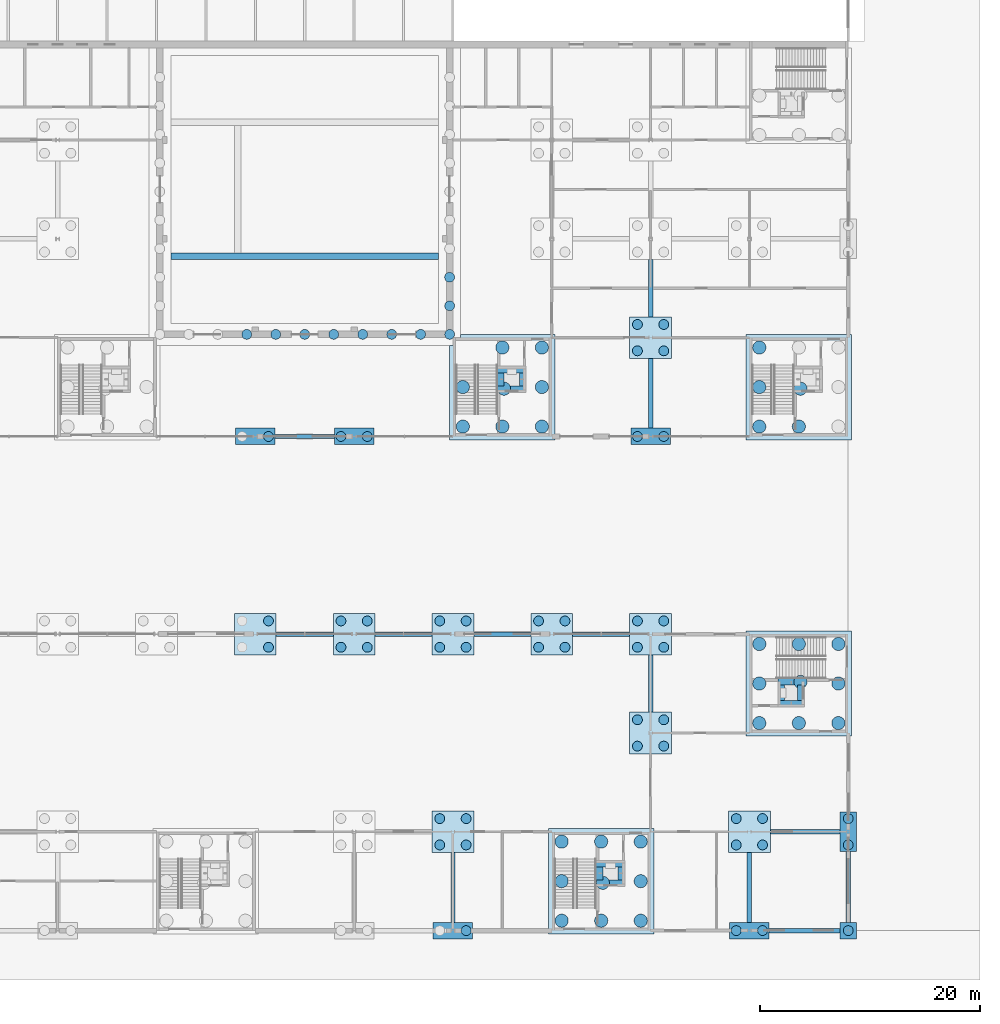
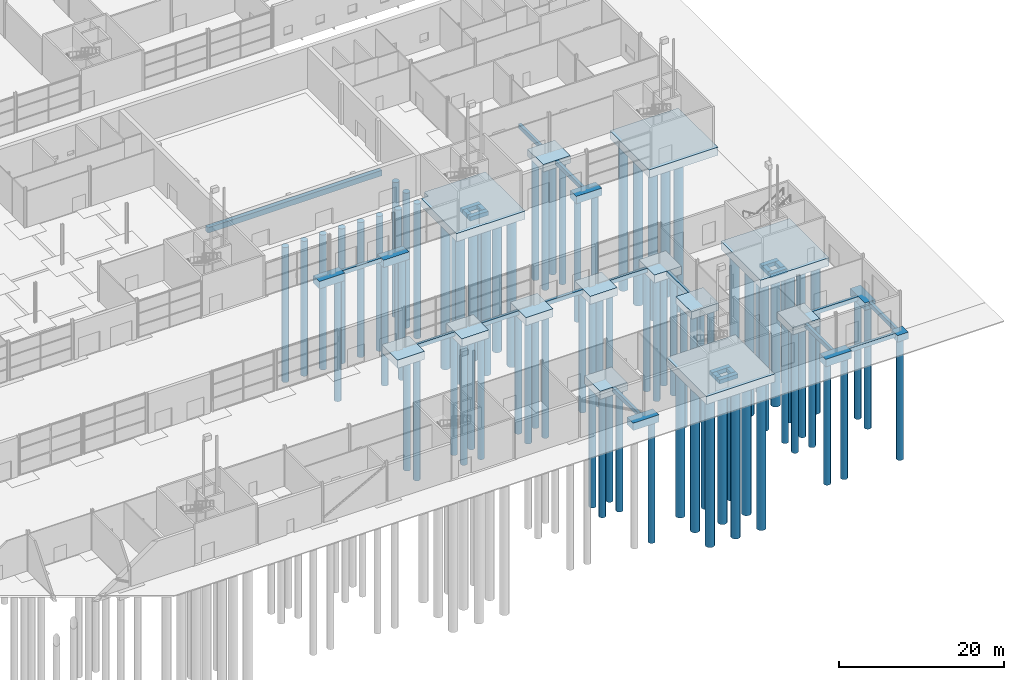
# One storey, part 5 of 97: 86 piles, 46 footings.
"""IFC4 building model written with IfcOpenShell, lengths in metres."""

from ifc_helpers import new_model, si_unit, direction, frame, origin, origin_2d, place, context, subcontext, project, spatial, polyline, rectangle, circle, outline, extrude, material, material_profile, profile_set, type_object, element, save


model = new_model("IFC4")

# Units and contexts
model_context = context("Model", 3, precision=1e-05, world=origin(), true_north=direction((0.0, 1.0)))
body_context = subcontext(model_context, "Body", "Model", "MODEL_VIEW")
ifc_project = project(units=[si_unit("LENGTHUNIT", "METRE"), si_unit("AREAUNIT", "SQUARE_METRE"), si_unit("VOLUMEUNIT", "CUBIC_METRE"), si_unit("PLANEANGLEUNIT", "RADIAN"), si_unit("MASSUNIT", "GRAM", prefix="KILO")], contexts=[model_context])

# Site, building, storey
site_placement = place(None, origin())
site = spatial("IfcSite", under=ifc_project, at=site_placement, CompositionType="ELEMENT")
building_placement = place(site_placement, origin())
building = spatial("IfcBuilding", under=site, at=building_placement, Name="Corbel Yard City Hall", CompositionType="ELEMENT")
storey_placement = place(building_placement, origin())
storey = spatial("IfcBuildingStorey", under=building, at=storey_placement, Name="L00", CompositionType="ELEMENT", Elevation=0.0)

# Piles
ifc_material = material(Name="Concrete N40 (40 MPa)", Category="concrete")
ifc_material_profile_1 = material_profile(ifc_material, circle(Radius=0.60009765625, at=origin_2d()), Name="D1200")
ifc_profile_set_1 = profile_set([ifc_material_profile_1], Name="Concrete N40 (40 MPa)")
pile_type_1 = type_object("IfcPileType", Name="Bored pile D1200", PredefinedType="BORED", material=ifc_profile_set_1)
for number, where, z_axis, x_axis, name in (
    (1, (153.89990234375, 0.89990234375, -1.10009765625), (0.0, 0.0, -1.0), (1.0, 0.0, 0.0), "Bored pile D1200 under core raft PC13"),
    (2, (153.89990234375, 4.5, -1.10009765625), (0.0, 0.0, -1.0), (1.0, 0.0, 0.0), "Bored pile D1200 under core raft PC13"),
    (3, (153.89990234375, 8.10009765625, -1.10009765625), (0.0, 0.0, -1.0), (1.0, 0.0, 0.0), "Bored pile D1200 under core raft PC13"),
    (4, (157.5, 0.89990234375, -1.10009765625), (0.0, 0.0, -1.0), (1.0, 0.0, 0.0), "Bored pile D1200 under core raft PC13"),
    (5, (157.64990234375, 4.35009765625, -1.10009765625), (0.0, 0.0, -1.0), (1.0, 0.0, 0.0), "Bored pile D1200 under core raft PC13"),
    (6, (157.5, 8.10009765625, -1.10009765625), (0.0, 0.0, -1.0), (1.0, 0.0, 0.0), "Bored pile D1200 under core raft PC13"),
    (7, (161.10009765625, 0.89990234375, -1.10009765625), (0.0, 0.0, -1.0), (1.0, 0.0, 0.0), "Bored pile D1200 under core raft PC13"),
    (8, (161.10009765625, 4.5, -1.10009765625), (0.0, 0.0, -1.0), (1.0, 0.0, 0.0), "Bored pile D1200 under core raft PC13"),
    (9, (161.10009765625, 8.10009765625, -1.10009765625), (0.0, 0.0, -1.0), (1.0, 0.0, 0.0), "Bored pile D1200 under core raft PC13"),
    (10, (171.89990234375, 18.89990234375, -1.10009765625), (0.0, 0.0, -1.0), (1.0, 0.0, 0.0), "Bored pile D1200 under core raft PC13"),
    (11, (171.89990234375, 22.5, -1.10009765625), (0.0, 0.0, -1.0), (1.0, 0.0, 0.0), "Bored pile D1200 under core raft PC13"),
    (12, (171.89990234375, 26.10009765625, -1.10009765625), (0.0, 0.0, -1.0), (1.0, 0.0, 0.0), "Bored pile D1200 under core raft PC13"),
    (13, (175.5, 18.89990234375, -1.10009765625), (0.0, 0.0, -1.0), (1.0, 0.0, 0.0), "Bored pile D1200 under core raft PC13"),
    (14, (175.64990234375, 22.64990234375, -1.10009765625), (0.0, 0.0, -1.0), (1.0, 0.0, 0.0), "Bored pile D1200 under core raft PC13"),
    (15, (175.5, 26.10009765625, -1.10009765625), (0.0, 0.0, -1.0), (1.0, 0.0, 0.0), "Bored pile D1200 under core raft PC13"),
    (16, (179.10009765625, 18.89990234375, -1.10009765625), (0.0, 0.0, -1.0), (1.0, 0.0, 0.0), "Bored pile D1200 under core raft PC13"),
    (17, (179.10009765625, 22.5, -1.10009765625), (0.0, 0.0, -1.0), (1.0, 0.0, 0.0), "Bored pile D1200 under core raft PC13"),
    (18, (179.10009765625, 26.10009765625, -1.10009765625), (0.0, 0.0, -1.0), (1.0, 0.0, 0.0), "Bored pile D1200 under core raft PC13"),
    (19, (144.89990234375, 45.89990234375, -1.10009765625), (0.0, 0.0, -1.0), (1.0, 0.0, 0.0), "Bored pile D1200 under core raft PC13"),
    (20, (144.89990234375, 49.5, -1.10009765625), (0.0, 0.0, -1.0), (1.0, 0.0, 0.0), "Bored pile D1200 under core raft PC13"),
    (21, (148.5, 45.89990234375, -1.10009765625), (0.0, 0.0, -1.0), (1.0, 0.0, 0.0), "Bored pile D1200 under core raft PC13"),
    (22, (148.64990234375, 49.35009765625, -1.10009765625), (0.0, 0.0, -1.0), (1.0, 0.0, 0.0), "Bored pile D1200 under core raft PC13"),
    (23, (148.5, 53.10009765625, -1.10009765625), (0.0, 0.0, -1.0), (1.0, 0.0, 0.0), "Bored pile D1200 under core raft PC13"),
    (24, (152.10009765625, 45.89990234375, -1.10009765625), (0.0, 0.0, -1.0), (1.0, 0.0, 0.0), "Bored pile D1200 under core raft PC13"),
    (25, (152.10009765625, 49.5, -1.10009765625), (0.0, 0.0, -1.0), (1.0, 0.0, 0.0), "Bored pile D1200 under core raft PC13"),
    (26, (152.10009765625, 53.10009765625, -1.10009765625), (0.0, 0.0, -1.0), (1.0, 0.0, 0.0), "Bored pile D1200 under core raft PC13"),
    (27, (171.89990234375, 45.89990234375, -1.10009765625), (0.0, 0.0, -1.0), (1.0, 0.0, 0.0), "Bored pile D1200 under core raft PC13"),
    (28, (171.89990234375, 49.5, -1.10009765625), (0.0, 0.0, -1.0), (1.0, 0.0, 0.0), "Bored pile D1200 under core raft PC13"),
    (29, (171.89990234375, 53.10009765625, -1.10009765625), (0.0, 0.0, -1.0), (1.0, 0.0, 0.0), "Bored pile D1200 under core raft PC13"),
    (30, (175.5, 45.89990234375, -1.10009765625), (0.0, 0.0, -1.0), (1.0, 0.0, 0.0), "Bored pile D1200 under core raft PC13"),
    (31, (175.64990234375, 49.35009765625, -1.10009765625), (0.0, 0.0, -1.0), (1.0, 0.0, 0.0), "Bored pile D1200 under core raft PC13"),
):
    element("IfcPile", number, at=place(storey_placement, frame(where, z_axis=z_axis, x_axis=x_axis)), inside=storey, type_object=pile_type_1, Name=name, PredefinedType="BORED", context=body_context, shape_type="SweptSolid", body=[
        extrude(circle(Radius=0.60009765625, at=origin_2d()), origin(), (0.0, 0.0, 1.0), 22.0),
    ])
ifc_material_profile_2 = material_profile(ifc_material, circle(Radius=0.449951171875, at=origin_2d()), Name="D900")
ifc_profile_set_2 = profile_set([ifc_material_profile_2], Name="Concrete N40 (40 MPa)")
pile_type_2 = type_object("IfcPileType", Name="Bored pile D900", PredefinedType="BORED", material=ifc_profile_set_2)
for number, where, z_axis, x_axis, name in (
    (32, (127.199951171875, 25.800048828125, -1.10009765625), (0.0, 0.0, -1.0), (1.0, 0.0, 0.0), "Bored pile D900 under cap PC5 D/15"),
    (33, (127.199951171875, 28.199951171875, -1.10009765625), (0.0, 0.0, -1.0), (1.0, 0.0, 0.0), "Bored pile D900 under cap PC5 D/15"),
    (34, (127.199951171875, 45.0, -1.0), (0.0, 0.0, -1.0), (1.0, 0.0, 0.0), "Bored pile D900 under cap PC6 F/15"),
    (35, (133.800048828125, 25.800048828125, -1.10009765625), (0.0, 0.0, -1.0), (1.0, 0.0, 0.0), "Bored pile D900 under cap PC5 D/16"),
    (36, (133.800048828125, 28.199951171875, -1.10009765625), (0.0, 0.0, -1.0), (1.0, 0.0, 0.0), "Bored pile D900 under cap PC5 D/16"),
    (37, (136.199951171875, 25.800048828125, -1.10009765625), (0.0, 0.0, -1.0), (1.0, 0.0, 0.0), "Bored pile D900 under cap PC5 D/16"),
    (38, (136.199951171875, 28.199951171875, -1.10009765625), (0.0, 0.0, -1.0), (1.0, 0.0, 0.0), "Bored pile D900 under cap PC5 D/16"),
    (39, (133.800048828125, 45.0, -1.0), (0.0, 0.0, -1.0), (1.0, 0.0, 0.0), "Bored pile D900 under cap PC6 F/16"),
    (40, (136.199951171875, 45.0, -1.0), (0.0, 0.0, -1.0), (1.0, 0.0, 0.0), "Bored pile D900 under cap PC6 F/16"),
    (41, (145.199951171875, 0.0, -1.0), (0.0, 0.0, -1.0), (1.0, 0.0, 0.0), "Bored pile D900 under cap PC6 A/17"),
    (42, (142.800048828125, 7.800048828125, -1.10009765625), (0.0, 0.0, -1.0), (1.0, 0.0, 0.0), "Bored pile D900 under cap PC5 B/17"),
    (43, (142.800048828125, 10.199951171875, -1.10009765625), (0.0, 0.0, -1.0), (1.0, 0.0, 0.0), "Bored pile D900 under cap PC5 B/17"),
    (44, (145.199951171875, 7.800048828125, -1.10009765625), (0.0, 0.0, -1.0), (1.0, 0.0, 0.0), "Bored pile D900 under cap PC5 B/17"),
    (45, (145.199951171875, 10.199951171875, -1.10009765625), (0.0, 0.0, -1.0), (1.0, 0.0, 0.0), "Bored pile D900 under cap PC5 B/17"),
    (46, (142.800048828125, 25.800048828125, -1.10009765625), (0.0, 0.0, -1.0), (1.0, 0.0, 0.0), "Bored pile D900 under cap PC5 D/17"),
    (47, (142.800048828125, 28.199951171875, -1.10009765625), (0.0, 0.0, -1.0), (1.0, 0.0, 0.0), "Bored pile D900 under cap PC5 D/17"),
    (48, (145.199951171875, 25.800048828125, -1.10009765625), (0.0, 0.0, -1.0), (1.0, 0.0, 0.0), "Bored pile D900 under cap PC5 D/17"),
    (49, (145.199951171875, 28.199951171875, -1.10009765625), (0.0, 0.0, -1.0), (1.0, 0.0, 0.0), "Bored pile D900 under cap PC5 D/17"),
    (50, (151.800048828125, 25.800048828125, -1.10009765625), (0.0, 0.0, -1.0), (1.0, 0.0, 0.0), "Bored pile D900 under cap PC5 D/18"),
    (51, (151.800048828125, 28.199951171875, -1.10009765625), (0.0, 0.0, -1.0), (1.0, 0.0, 0.0), "Bored pile D900 under cap PC5 D/18"),
    (52, (154.199951171875, 25.800048828125, -1.10009765625), (0.0, 0.0, -1.0), (1.0, 0.0, 0.0), "Bored pile D900 under cap PC5 D/18"),
    (53, (154.199951171875, 28.199951171875, -1.10009765625), (0.0, 0.0, -1.0), (1.0, 0.0, 0.0), "Bored pile D900 under cap PC5 D/18"),
    (54, (160.800048828125, 16.800048828125, -1.0), (0.0, 0.0, -1.0), (1.0, 0.0, 0.0), "Bored pile D900 under cap PC3 C/19"),
    (55, (160.800048828125, 19.199951171875, -1.0), (0.0, 0.0, -1.0), (1.0, 0.0, 0.0), "Bored pile D900 under cap PC3 C/19"),
    (56, (163.199951171875, 16.800048828125, -1.0), (0.0, 0.0, -1.0), (1.0, 0.0, 0.0), "Bored pile D900 under cap PC3 C/19"),
    (57, (163.199951171875, 19.199951171875, -1.0), (0.0, 0.0, -1.0), (1.0, 0.0, 0.0), "Bored pile D900 under cap PC3 C/19"),
    (58, (160.800048828125, 25.800048828125, -1.10009765625), (0.0, 0.0, -1.0), (1.0, 0.0, 0.0), "Bored pile D900 under cap PC5 D/19"),
    (59, (160.800048828125, 28.199951171875, -1.10009765625), (0.0, 0.0, -1.0), (1.0, 0.0, 0.0), "Bored pile D900 under cap PC5 D/19"),
    (60, (163.199951171875, 25.800048828125, -1.10009765625), (0.0, 0.0, -1.0), (1.0, 0.0, 0.0), "Bored pile D900 under cap PC5 D/19"),
    (61, (163.199951171875, 28.199951171875, -1.10009765625), (0.0, 0.0, -1.0), (1.0, 0.0, 0.0), "Bored pile D900 under cap PC5 D/19"),
    (62, (160.800048828125, 45.0, -1.0), (0.0, 0.0, -1.0), (1.0, 0.0, 0.0), "Bored pile D900 under cap PC6 F/19"),
    (63, (163.199951171875, 45.0, -1.0), (0.0, 0.0, -1.0), (1.0, 0.0, 0.0), "Bored pile D900 under cap PC6 F/19"),
    (64, (160.800048828125, 52.800048828125, -1.0), (0.0, 0.0, -1.0), (1.0, 0.0, 0.0), "Bored pile D900 under cap PC3 G/19"),
    (65, (160.800048828125, 55.199951171875, -1.0), (0.0, 0.0, -1.0), (1.0, 0.0, 0.0), "Bored pile D900 under cap PC3 G/19"),
    (66, (163.199951171875, 52.800048828125, -1.0), (0.0, 0.0, -1.0), (1.0, 0.0, 0.0), "Bored pile D900 under cap PC3 G/19"),
    (67, (163.199951171875, 55.199951171875, -1.0), (0.0, 0.0, -1.0), (1.0, 0.0, 0.0), "Bored pile D900 under cap PC3 G/19"),
    (68, (169.800048828125, 0.0, -1.0), (0.0, 0.0, -1.0), (1.0, 0.0, 0.0), "Bored pile D900 under cap PC6 A/20"),
    (69, (172.199951171875, 0.0, -1.0), (0.0, 0.0, -1.0), (1.0, 0.0, 0.0), "Bored pile D900 under cap PC6 A/20"),
    (70, (169.800048828125, 7.800048828125, -1.0), (0.0, 0.0, -1.0), (1.0, 0.0, 0.0), "Bored pile D900 under cap PC3 B/20"),
    (71, (169.800048828125, 10.199951171875, -1.0), (0.0, 0.0, -1.0), (1.0, 0.0, 0.0), "Bored pile D900 under cap PC3 B/20"),
    (72, (172.199951171875, 7.800048828125, -1.0), (0.0, 0.0, -1.0), (1.0, 0.0, 0.0), "Bored pile D900 under cap PC3 B/20"),
    (73, (172.199951171875, 10.199951171875, -1.0), (0.0, 0.0, -1.0), (1.0, 0.0, 0.0), "Bored pile D900 under cap PC3 B/20"),
    (74, (180.0, 0.0, -0.89990234375), (0.0, 0.0, -1.0), (1.0, 0.0, 0.0), "Bored pile D900 under cap PC1 A/21"),
    (75, (180.0, 7.800048828125, -1.0), (0.0, 0.0, -1.0), (1.0, 0.0, 0.0), "Bored pile D900 under cap PC2 B/21"),
    (76, (180.0, 10.199951171875, -1.0), (0.0, 0.0, -1.0), (1.0, 0.0, 0.0), "Bored pile D900 under cap PC2 B/21"),
):
    element("IfcPile", number, at=place(storey_placement, frame(where, z_axis=z_axis, x_axis=x_axis)), inside=storey, type_object=pile_type_2, Name=name, PredefinedType="BORED", context=body_context, shape_type="SweptSolid", body=[
        extrude(circle(Radius=0.449951171875, at=origin_2d()), origin(), (0.0, 0.0, 1.0), 18.0),
    ])
for number, where, z_axis, x_axis, name in (
    (77, (125.219970703125, 54.300048828125, -1.10009765625), (0.0, 0.0, -1.0), (1.0, 0.0, 0.0), "Bored pile D900 under chamber ring cap PC12"),
    (78, (127.860107421875, 54.300048828125, -1.10009765625), (0.0, 0.0, -1.0), (1.0, 0.0, 0.0), "Bored pile D900 under chamber ring cap PC12"),
    (79, (130.5, 54.300048828125, -1.10009765625), (0.0, 0.0, -1.0), (1.0, 0.0, 0.0), "Bored pile D900 under chamber ring cap PC12"),
    (80, (133.139892578125, 54.300048828125, -1.10009765625), (0.0, 0.0, -1.0), (1.0, 0.0, 0.0), "Bored pile D900 under chamber ring cap PC12"),
    (81, (135.780029296875, 54.300048828125, -1.10009765625), (0.0, 0.0, -1.0), (1.0, 0.0, 0.0), "Bored pile D900 under chamber ring cap PC12"),
    (82, (138.419921875, 54.300048828125, -1.10009765625), (0.0, 0.0, -1.0), (1.0, 0.0, 0.0), "Bored pile D900 under chamber ring cap PC12"),
    (83, (141.06005859375, 54.300048828125, -1.10009765625), (0.0, 0.0, -1.0), (1.0, 0.0, 0.0), "Bored pile D900 under chamber ring cap PC12"),
    (84, (143.699951171875, 54.300048828125, -1.10009765625), (0.0, 0.0, -1.0), (1.0, 0.0, 0.0), "Bored pile D900 under chamber ring cap PC12"),
    (85, (143.699951171875, 56.89990234375, -1.10009765625), (0.0, 0.0, -1.0), (1.0, 0.0, 0.0), "Bored pile D900 under chamber ring cap PC12"),
    (86, (143.699951171875, 59.5, -1.10009765625), (0.0, 0.0, -1.0), (1.0, 0.0, 0.0), "Bored pile D900 under chamber ring cap PC12"),
):
    element("IfcPile", number, at=place(storey_placement, frame(where, z_axis=z_axis, x_axis=x_axis)), inside=storey, type_object=pile_type_2, Name=name, PredefinedType="BORED", context=body_context, shape_type="SweptSolid", body=[
        extrude(circle(Radius=0.449951171875, at=origin_2d()), origin(), (0.0, 0.0, 1.0), 20.0),
    ])

# Footings
footing_type_1 = type_object("IfcFootingType", Name="Chamber ground beam 600 x 800", PredefinedType="FOOTING_BEAM", material=ifc_material)
footing_1_placement = place(storey_placement, frame((0.0, 0.0, -1.0)))
element("IfcFooting", 87, at=footing_1_placement, inside=storey, type_object=footing_type_1, Name="Chamber ground beam S", PredefinedType="FOOTING_BEAM", context=body_context, shape_type="SweptSolid", body=[
    extrude(outline(polyline([(142.699951171875, 61.10009765625), (142.699951171875, 61.699951171875), (118.300048828125, 61.699951171875), (118.300048828125, 61.10009765625), (142.699951171875, 61.10009765625)])), origin(), (0.0, 0.0, 1.0), 0.800048828125),
])
footing_type_2 = type_object("IfcFootingType", Name="Core cell raft 9.6 x 9.6 x 1.2", PredefinedType="PILE_CAP", material=ifc_material)
footing_2_placement = place(storey_placement, frame((0.0, 0.0, -1.199951171875)))
element("IfcFooting", 88, at=footing_2_placement, inside=storey, type_object=footing_type_2, Name="Core cell raft PC13 PC-S4", PredefinedType="PILE_CAP", context=body_context, shape_type="SweptSolid", body=[
    extrude(outline(polyline([(152.699951171875, -0.300048828125), (162.300048828125, -0.300048828125), (162.300048828125, 9.300048828125), (152.699951171875, 9.300048828125), (152.699951171875, -0.300048828125)])), origin(), (0.0, 0.0, 1.0), 1.199951171875),
])
footing_3_placement = place(storey_placement, frame((0.0, 0.0, -1.199951171875)))
element("IfcFooting", 89, at=footing_3_placement, inside=storey, type_object=footing_type_2, Name="Core cell raft PC13 PC-S6", PredefinedType="PILE_CAP", context=body_context, shape_type="SweptSolid", body=[
    extrude(outline(polyline([(170.699951171875, 17.699951171875), (180.300048828125, 17.699951171875), (180.300048828125, 27.300048828125), (170.699951171875, 27.300048828125), (170.699951171875, 17.699951171875)])), origin(), (0.0, 0.0, 1.0), 1.199951171875),
])
footing_4_placement = place(storey_placement, frame((0.0, 0.0, -1.199951171875)))
element("IfcFooting", 90, at=footing_4_placement, inside=storey, type_object=footing_type_2, Name="Core cell raft PC13 PC-M4", PredefinedType="PILE_CAP", context=body_context, shape_type="SweptSolid", body=[
    extrude(outline(polyline([(153.300048828125, 54.300048828125), (144.699951171875, 54.300048828125), (144.699951171875, 53.300048828125), (143.699951171875, 53.300048828125), (143.699951171875, 44.699951171875), (153.300048828125, 44.699951171875), (153.300048828125, 54.300048828125)])), origin(), (0.0, 0.0, 1.0), 1.199951171875),
])
footing_5_placement = place(storey_placement, frame((0.0, 0.0, -1.199951171875)))
element("IfcFooting", 91, at=footing_5_placement, inside=storey, type_object=footing_type_2, Name="Core cell raft PC13 PC-M5", PredefinedType="PILE_CAP", context=body_context, shape_type="SweptSolid", body=[
    extrude(outline(polyline([(170.699951171875, 44.699951171875), (180.300048828125, 44.699951171875), (180.300048828125, 54.300048828125), (170.699951171875, 54.300048828125), (170.699951171875, 44.699951171875)])), origin(), (0.0, 0.0, 1.0), 1.199951171875),
])
footing_type_3 = type_object("IfcFootingType", Name="Ground beam 400 x 600", PredefinedType="FOOTING_BEAM", material=ifc_material)
footing_6_placement = place(storey_placement, frame((130.5, 27.0, -0.60009765625), z_axis=(0.0, 0.0, 1.0), x_axis=(1.0, 0.0, 0.0)))
element("IfcFooting", 92, at=footing_6_placement, inside=storey, type_object=footing_type_3, Name="Ground beam 400 x 600 D/15-D/16", PredefinedType="FOOTING_BEAM", context=body_context, shape_type="SweptSolid", body=[
    extrude(rectangle(XDim=5.199951171875, YDim=0.39990234375, at=origin_2d()), origin(), (0.0, 0.0, 1.0), 0.60009765625),
])
footing_7_placement = place(storey_placement, frame((130.5, 45.0, -0.60009765625), z_axis=(0.0, 0.0, 1.0), x_axis=(1.0, 0.0, 0.0)))
element("IfcFooting", 93, at=footing_7_placement, inside=storey, type_object=footing_type_3, Name="Ground beam 400 x 600 F/15-F/16", PredefinedType="FOOTING_BEAM", context=body_context, shape_type="SweptSolid", body=[
    extrude(rectangle(XDim=5.39990234375, YDim=0.39990234375, at=origin_2d()), origin(), (0.0, 0.0, 1.0), 0.60009765625),
])
footing_8_placement = place(storey_placement, frame((139.5, 27.0, -0.60009765625), z_axis=(0.0, 0.0, 1.0), x_axis=(1.0, 0.0, 0.0)))
element("IfcFooting", 94, at=footing_8_placement, inside=storey, type_object=footing_type_3, Name="Ground beam 400 x 600 D/16-D/17", PredefinedType="FOOTING_BEAM", context=body_context, shape_type="SweptSolid", body=[
    extrude(rectangle(XDim=5.199951171875, YDim=0.39990234375, at=origin_2d()), origin(), (0.0, 0.0, 1.0), 0.60009765625),
])
footing_9_placement = place(storey_placement, frame((144.0, 3.925048828125, -0.60009765625), z_axis=(0.0, 0.0, 1.0), x_axis=(1.0, 0.0, 0.0)))
element("IfcFooting", 95, at=footing_9_placement, inside=storey, type_object=footing_type_3, Name="Ground beam 400 x 600 A/17-B/17", PredefinedType="FOOTING_BEAM", context=body_context, shape_type="SweptSolid", body=[
    extrude(rectangle(XDim=0.39990234375, YDim=6.35009765625, at=origin_2d()), origin(), (0.0, 0.0, 1.0), 0.60009765625),
])
for number, where, z_axis, x_axis, name in (
    (96, (148.5, 27.0, -0.60009765625), (0.0, 0.0, 1.0), (1.0, 0.0, 0.0), "Ground beam 400 x 600 D/17-D/18"),
    (97, (157.5, 27.0, -0.60009765625), (0.0, 0.0, 1.0), (1.0, 0.0, 0.0), "Ground beam 400 x 600 D/18-D/19"),
):
    element("IfcFooting", number, at=place(storey_placement, frame(where, z_axis=z_axis, x_axis=x_axis)), inside=storey, type_object=footing_type_3, Name=name, PredefinedType="FOOTING_BEAM", context=body_context, shape_type="SweptSolid", body=[
        extrude(rectangle(XDim=5.199951171875, YDim=0.39990234375, at=origin_2d()), origin(), (0.0, 0.0, 1.0), 0.60009765625),
    ])
footing_10_placement = place(storey_placement, frame((162.0, 22.5, -0.60009765625), z_axis=(0.0, 0.0, 1.0), x_axis=(1.0, 0.0, 0.0)))
element("IfcFooting", 98, at=footing_10_placement, inside=storey, type_object=footing_type_3, Name="Ground beam 400 x 600 C/19-D/19", PredefinedType="FOOTING_BEAM", context=body_context, shape_type="SweptSolid", body=[
    extrude(rectangle(XDim=0.39990234375, YDim=5.199951171875, at=origin_2d()), origin(), (0.0, 0.0, 1.0), 0.60009765625),
])
footing_11_placement = place(storey_placement, frame((162.0, 48.925048828125, -0.60009765625), z_axis=(0.0, 0.0, 1.0), x_axis=(1.0, 0.0, 0.0)))
element("IfcFooting", 99, at=footing_11_placement, inside=storey, type_object=footing_type_3, Name="Ground beam 400 x 600 F/19-G/19", PredefinedType="FOOTING_BEAM", context=body_context, shape_type="SweptSolid", body=[
    extrude(rectangle(XDim=0.39990234375, YDim=6.35009765625, at=origin_2d()), origin(), (0.0, 0.0, 1.0), 0.60009765625),
])
footing_12_placement = place(storey_placement, frame((162.0, 58.5, -0.60009765625), z_axis=(0.0, 0.0, 1.0), x_axis=(1.0, 0.0, 0.0)))
element("IfcFooting", 100, at=footing_12_placement, inside=storey, type_object=footing_type_3, Name="Ground beam 400 x 600 G/19-H/19", PredefinedType="FOOTING_BEAM", context=body_context, shape_type="SweptSolid", body=[
    extrude(rectangle(XDim=0.39990234375, YDim=5.199951171875, at=origin_2d()), origin(), (0.0, 0.0, 1.0), 0.60009765625),
])
footing_13_placement = place(storey_placement, frame((176.02490234375, 0.0, -0.60009765625), z_axis=(0.0, 0.0, 1.0), x_axis=(1.0, 0.0, 0.0)))
element("IfcFooting", 101, at=footing_13_placement, inside=storey, type_object=footing_type_3, Name="Ground beam 400 x 600 A/20-A/21", PredefinedType="FOOTING_BEAM", context=body_context, shape_type="SweptSolid", body=[
    extrude(rectangle(XDim=6.449951171875, YDim=0.39990234375, at=origin_2d()), origin(), (0.0, 0.0, 1.0), 0.60009765625),
])
footing_14_placement = place(storey_placement, frame((171.0, 3.925048828125, -0.60009765625), z_axis=(0.0, 0.0, 1.0), x_axis=(1.0, 0.0, 0.0)))
element("IfcFooting", 102, at=footing_14_placement, inside=storey, type_object=footing_type_3, Name="Ground beam 400 x 600 A/20-B/20", PredefinedType="FOOTING_BEAM", context=body_context, shape_type="SweptSolid", body=[
    extrude(rectangle(XDim=0.39990234375, YDim=6.35009765625, at=origin_2d()), origin(), (0.0, 0.0, 1.0), 0.60009765625),
])
footing_15_placement = place(storey_placement, frame((176.074951171875, 9.0, -0.60009765625), z_axis=(0.0, 0.0, 1.0), x_axis=(1.0, 0.0, 0.0)))
element("IfcFooting", 103, at=footing_15_placement, inside=storey, type_object=footing_type_3, Name="Ground beam 400 x 600 B/20-B/21", PredefinedType="FOOTING_BEAM", context=body_context, shape_type="SweptSolid", body=[
    extrude(rectangle(XDim=6.35009765625, YDim=0.39990234375, at=origin_2d()), origin(), (0.0, 0.0, 1.0), 0.60009765625),
])
footing_16_placement = place(storey_placement, frame((180.0, 3.97509765625, -0.60009765625), z_axis=(0.0, 0.0, 1.0), x_axis=(1.0, 0.0, 0.0)))
element("IfcFooting", 104, at=footing_16_placement, inside=storey, type_object=footing_type_3, Name="Ground beam 400 x 600 A/21-B/21", PredefinedType="FOOTING_BEAM", context=body_context, shape_type="SweptSolid", body=[
    extrude(rectangle(XDim=0.39990234375, YDim=6.449951171875, at=origin_2d()), origin(), (0.0, 0.0, 1.0), 0.60009765625),
])
footing_type_4 = type_object("IfcFootingType", Name="Lift pit strip footing 600 x 600", PredefinedType="FOOTING_BEAM", material=ifc_material)
footing_17_placement = place(storey_placement, frame((0.0, 0.0, -2.300048828125)))
element("IfcFooting", 105, at=footing_17_placement, inside=storey, type_object=footing_type_4, Name="Lift pit strip footing LP5 S", PredefinedType="FOOTING_BEAM", context=body_context, shape_type="SweptSolid", body=[
    extrude(outline(polyline([(159.64990234375, 4.0), (159.64990234375, 4.60009765625), (157.050048828125, 4.60009765625), (157.050048828125, 4.0), (159.64990234375, 4.0)])), origin(), (0.0, 0.0, 1.0), 0.60009765625),
])
footing_18_placement = place(storey_placement, frame((0.0, 0.0, -2.300048828125)))
element("IfcFooting", 106, at=footing_18_placement, inside=storey, type_object=footing_type_4, Name="Lift pit strip footing LP5 N", PredefinedType="FOOTING_BEAM", context=body_context, shape_type="SweptSolid", body=[
    extrude(outline(polyline([(159.64990234375, 5.800048828125), (159.64990234375, 6.39990234375), (157.050048828125, 6.39990234375), (157.050048828125, 5.800048828125), (159.64990234375, 5.800048828125)])), origin(), (0.0, 0.0, 1.0), 0.60009765625),
])
footing_19_placement = place(storey_placement, frame((0.0, 0.0, -2.300048828125)))
element("IfcFooting", 107, at=footing_19_placement, inside=storey, type_object=footing_type_4, Name="Lift pit strip footing LP5 W", PredefinedType="FOOTING_BEAM", context=body_context, shape_type="SweptSolid", body=[
    extrude(outline(polyline([(157.64990234375, 4.60009765625), (157.64990234375, 5.800048828125), (157.050048828125, 5.800048828125), (157.050048828125, 4.60009765625), (157.64990234375, 4.60009765625)])), origin(), (0.0, 0.0, 1.0), 0.60009765625),
])
footing_20_placement = place(storey_placement, frame((0.0, 0.0, -2.300048828125)))
element("IfcFooting", 108, at=footing_20_placement, inside=storey, type_object=footing_type_4, Name="Lift pit strip footing LP5 E", PredefinedType="FOOTING_BEAM", context=body_context, shape_type="SweptSolid", body=[
    extrude(outline(polyline([(159.64990234375, 4.60009765625), (159.64990234375, 5.800048828125), (159.050048828125, 5.800048828125), (159.050048828125, 4.60009765625), (159.64990234375, 4.60009765625)])), origin(), (0.0, 0.0, 1.0), 0.60009765625),
])
footing_21_placement = place(storey_placement, frame((0.0, 0.0, -2.300048828125)))
element("IfcFooting", 109, at=footing_21_placement, inside=storey, type_object=footing_type_4, Name="Lift pit strip footing LP7 S", PredefinedType="FOOTING_BEAM", context=body_context, shape_type="SweptSolid", body=[
    extrude(outline(polyline([(176.0, 20.35009765625), (176.0, 20.949951171875), (173.60009765625, 20.949951171875), (173.60009765625, 20.35009765625), (176.0, 20.35009765625)])), origin(), (0.0, 0.0, 1.0), 0.60009765625),
])
footing_22_placement = place(storey_placement, frame((0.0, 0.0, -2.300048828125)))
element("IfcFooting", 110, at=footing_22_placement, inside=storey, type_object=footing_type_4, Name="Lift pit strip footing LP7 N", PredefinedType="FOOTING_BEAM", context=body_context, shape_type="SweptSolid", body=[
    extrude(outline(polyline([(176.0, 22.35009765625), (176.0, 22.949951171875), (173.60009765625, 22.949951171875), (173.60009765625, 22.35009765625), (176.0, 22.35009765625)])), origin(), (0.0, 0.0, 1.0), 0.60009765625),
])
footing_23_placement = place(storey_placement, frame((0.0, 0.0, -2.300048828125)))
element("IfcFooting", 111, at=footing_23_placement, inside=storey, type_object=footing_type_4, Name="Lift pit strip footing LP7 W", PredefinedType="FOOTING_BEAM", context=body_context, shape_type="SweptSolid", body=[
    extrude(outline(polyline([(174.199951171875, 20.949951171875), (174.199951171875, 22.35009765625), (173.60009765625, 22.35009765625), (173.60009765625, 20.949951171875), (174.199951171875, 20.949951171875)])), origin(), (0.0, 0.0, 1.0), 0.60009765625),
])
footing_24_placement = place(storey_placement, frame((0.0, 0.0, -2.300048828125)))
element("IfcFooting", 112, at=footing_24_placement, inside=storey, type_object=footing_type_4, Name="Lift pit strip footing LP7 E", PredefinedType="FOOTING_BEAM", context=body_context, shape_type="SweptSolid", body=[
    extrude(outline(polyline([(176.0, 20.949951171875), (176.0, 22.35009765625), (175.39990234375, 22.35009765625), (175.39990234375, 20.949951171875), (176.0, 20.949951171875)])), origin(), (0.0, 0.0, 1.0), 0.60009765625),
])
footing_25_placement = place(storey_placement, frame((0.0, 0.0, -2.300048828125)))
element("IfcFooting", 113, at=footing_25_placement, inside=storey, type_object=footing_type_4, Name="Lift pit strip footing LP11 S", PredefinedType="FOOTING_BEAM", context=body_context, shape_type="SweptSolid", body=[
    extrude(outline(polyline([(150.64990234375, 49.0), (150.64990234375, 49.60009765625), (148.050048828125, 49.60009765625), (148.050048828125, 49.0), (150.64990234375, 49.0)])), origin(), (0.0, 0.0, 1.0), 0.60009765625),
])
footing_26_placement = place(storey_placement, frame((0.0, 0.0, -2.300048828125)))
element("IfcFooting", 114, at=footing_26_placement, inside=storey, type_object=footing_type_4, Name="Lift pit strip footing LP11 N", PredefinedType="FOOTING_BEAM", context=body_context, shape_type="SweptSolid", body=[
    extrude(outline(polyline([(150.64990234375, 50.800048828125), (150.64990234375, 51.39990234375), (148.050048828125, 51.39990234375), (148.050048828125, 50.800048828125), (150.64990234375, 50.800048828125)])), origin(), (0.0, 0.0, 1.0), 0.60009765625),
])
footing_27_placement = place(storey_placement, frame((0.0, 0.0, -2.300048828125)))
element("IfcFooting", 115, at=footing_27_placement, inside=storey, type_object=footing_type_4, Name="Lift pit strip footing LP11 W", PredefinedType="FOOTING_BEAM", context=body_context, shape_type="SweptSolid", body=[
    extrude(outline(polyline([(148.64990234375, 49.60009765625), (148.64990234375, 50.800048828125), (148.050048828125, 50.800048828125), (148.050048828125, 49.60009765625), (148.64990234375, 49.60009765625)])), origin(), (0.0, 0.0, 1.0), 0.60009765625),
])
footing_28_placement = place(storey_placement, frame((0.0, 0.0, -2.300048828125)))
element("IfcFooting", 116, at=footing_28_placement, inside=storey, type_object=footing_type_4, Name="Lift pit strip footing LP11 E", PredefinedType="FOOTING_BEAM", context=body_context, shape_type="SweptSolid", body=[
    extrude(outline(polyline([(150.64990234375, 49.60009765625), (150.64990234375, 50.800048828125), (150.050048828125, 50.800048828125), (150.050048828125, 49.60009765625), (150.64990234375, 49.60009765625)])), origin(), (0.0, 0.0, 1.0), 0.60009765625),
])
footing_type_5 = type_object("IfcFootingType", Name="Pile cap (column) 3.8 x 3.8 x 1.1", PredefinedType="PILE_CAP", material=ifc_material)
for number, where, z_axis, x_axis, name in (
    (117, (162.0, 18.0, -1.10009765625), (0.0, 0.0, 1.0), (1.0, 0.0, 0.0), "Pile cap PC3 C/19"),
    (118, (162.0, 54.0, -1.10009765625), (0.0, 0.0, 1.0), (1.0, 0.0, 0.0), "Pile cap PC3 G/19"),
    (119, (171.0, 9.0, -1.10009765625), (0.0, 0.0, 1.0), (1.0, 0.0, 0.0), "Pile cap PC3 B/20"),
):
    element("IfcFooting", number, at=place(storey_placement, frame(where, z_axis=z_axis, x_axis=x_axis)), inside=storey, type_object=footing_type_5, Name=name, PredefinedType="PILE_CAP", context=body_context, shape_type="SweptSolid", body=[
        extrude(rectangle(XDim=3.800048828125, YDim=3.800048828125, at=origin_2d()), origin(), (0.0, 0.0, 1.0), 1.10009765625),
    ])
footing_type_6 = type_object("IfcFootingType", Name="Pile cap (corner column) 1.5 x 1.5 x 1", PredefinedType="PILE_CAP", material=ifc_material)
footing_29_placement = place(storey_placement, frame((180.0, 0.0, -1.0), z_axis=(0.0, 0.0, 1.0), x_axis=(1.0, 0.0, 0.0)))
element("IfcFooting", 120, at=footing_29_placement, inside=storey, type_object=footing_type_6, Name="Pile cap PC1 A/21", PredefinedType="PILE_CAP", context=body_context, shape_type="SweptSolid", body=[
    extrude(rectangle(XDim=1.5, YDim=1.5, at=origin_2d()), origin(), (0.0, 0.0, 1.0), 1.0),
])
footing_type_7 = type_object("IfcFootingType", Name="Pile cap (edge column, two piles) 1.5 x 3.6 x 1.1", PredefinedType="PILE_CAP", material=ifc_material)
footing_30_placement = place(storey_placement, frame((180.0, 9.0, -1.10009765625), z_axis=(0.0, 0.0, 1.0), x_axis=(1.0, 0.0, 0.0)))
element("IfcFooting", 121, at=footing_30_placement, inside=storey, type_object=footing_type_7, Name="Pile cap PC2 B/21", PredefinedType="PILE_CAP", context=body_context, shape_type="SweptSolid", body=[
    extrude(rectangle(XDim=1.5, YDim=3.60009765625, at=origin_2d()), origin(), (0.0, 0.0, 1.0), 1.10009765625),
])
footing_type_8 = type_object("IfcFootingType", Name="Pile cap (edge column, two piles) 3.6 x 1.5 x 1.1", PredefinedType="PILE_CAP", material=ifc_material)
for number, where, z_axis, x_axis, name in (
    (122, (126.0, 45.0, -1.10009765625), (0.0, 0.0, 1.0), (1.0, 0.0, 0.0), "Pile cap PC6 F/15"),
    (123, (135.0, 45.0, -1.10009765625), (0.0, 0.0, 1.0), (1.0, 0.0, 0.0), "Pile cap PC6 F/16"),
    (124, (144.0, 0.0, -1.10009765625), (0.0, 0.0, 1.0), (1.0, 0.0, 0.0), "Pile cap PC6 A/17"),
    (125, (162.0, 45.0, -1.10009765625), (0.0, 0.0, 1.0), (1.0, 0.0, 0.0), "Pile cap PC6 F/19"),
    (126, (171.0, 0.0, -1.10009765625), (0.0, 0.0, 1.0), (1.0, 0.0, 0.0), "Pile cap PC6 A/20"),
):
    element("IfcFooting", number, at=place(storey_placement, frame(where, z_axis=z_axis, x_axis=x_axis)), inside=storey, type_object=footing_type_8, Name=name, PredefinedType="PILE_CAP", context=body_context, shape_type="SweptSolid", body=[
        extrude(rectangle(XDim=3.60009765625, YDim=1.5, at=origin_2d()), origin(), (0.0, 0.0, 1.0), 1.10009765625),
    ])
footing_type_9 = type_object("IfcFootingType", Name="Pile cap (hall truss column) 3.8 x 3.8 x 1.2", PredefinedType="PILE_CAP", material=ifc_material)
for number, where, z_axis, x_axis, name in (
    (127, (126.0, 27.0, -1.2001953125), (0.0, 0.0, 1.0), (1.0, 0.0, 0.0), "Pile cap PC5 D/15"),
    (128, (135.0, 27.0, -1.2001953125), (0.0, 0.0, 1.0), (1.0, 0.0, 0.0), "Pile cap PC5 D/16"),
    (129, (144.0, 9.0, -1.2001953125), (0.0, 0.0, 1.0), (1.0, 0.0, 0.0), "Pile cap PC5 B/17"),
    (130, (144.0, 27.0, -1.2001953125), (0.0, 0.0, 1.0), (1.0, 0.0, 0.0), "Pile cap PC5 D/17"),
    (131, (153.0, 27.0, -1.2001953125), (0.0, 0.0, 1.0), (1.0, 0.0, 0.0), "Pile cap PC5 D/18"),
    (132, (162.0, 27.0, -1.2001953125), (0.0, 0.0, 1.0), (1.0, 0.0, 0.0), "Pile cap PC5 D/19"),
):
    element("IfcFooting", number, at=place(storey_placement, frame(where, z_axis=z_axis, x_axis=x_axis)), inside=storey, type_object=footing_type_9, Name=name, PredefinedType="PILE_CAP", context=body_context, shape_type="SweptSolid", body=[
        extrude(rectangle(XDim=3.800048828125, YDim=3.800048828125, at=origin_2d()), origin(), (0.0, 0.0, 1.0), 1.199951171875),
    ])

save(model, "model.ifc")
